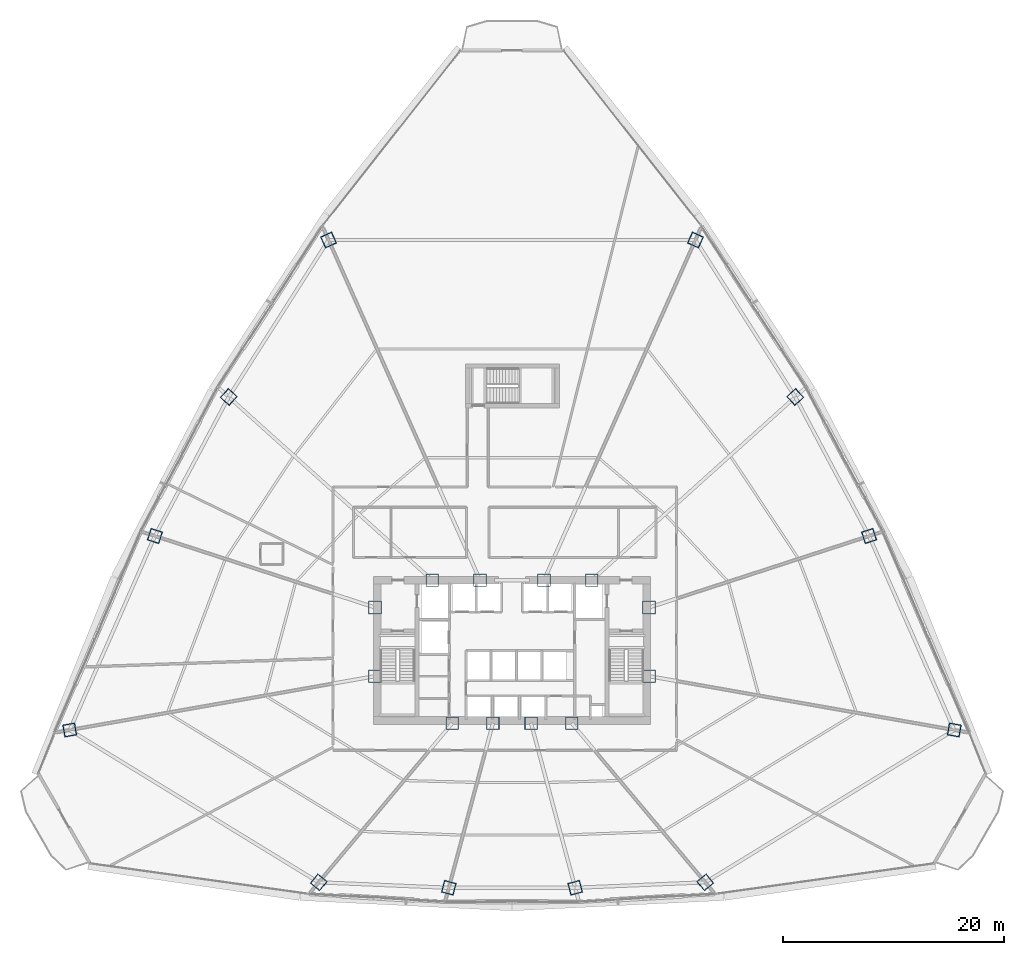
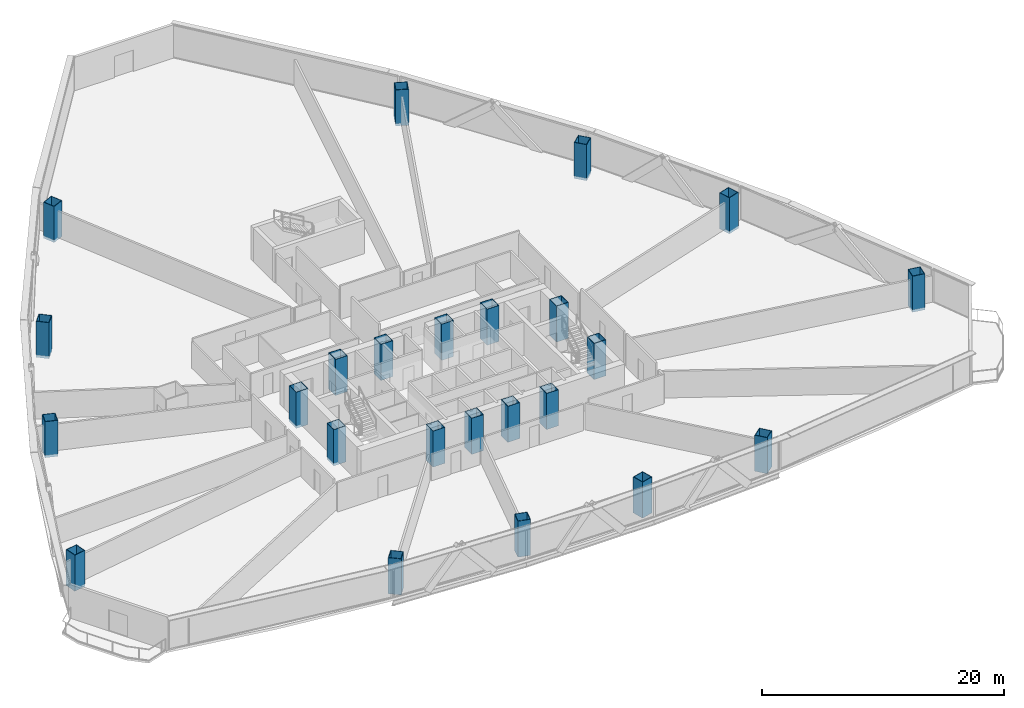
# One storey, part 1 of 37: 24 columns.
"""IFC4 building model written with IfcOpenShell, lengths in metres."""

import ifcopenshell
import ifcopenshell.guid

model = None  # the IFC model being written
_history = None  # IfcOwnerHistory: only IFC2X3 demands one
_inside = {}  # id of a spatial element -> (the spatial element, [elements in it])
_under = {}  # id of a project, library or spatial element -> (it, [spatial elements below it])
_declared = {}  # id of a project -> (the project, [libraries it declares])
_typed = {}  # id of a type object -> (the type object, [elements of that type])
_made_of = {}  # id of a material, layer set ... -> (it, [elements and type objects made of it])


def new_model(schema):
    """Start an empty IFC model of exactly this schema.

    Asked for "IFC4X3", IfcOpenShell would pick the latest addendum, in which some entities
    have other attributes; the version numbers below select the first issue.
    IFC2X3 requires an IfcOwnerHistory on every rooted entity: one is made here for all.
    """
    global model, _history
    if schema == "IFC4X3":
        model = ifcopenshell.file(schema_version=(4, 3, 0, 0))
    else:
        model = ifcopenshell.file(schema=schema)
    _inside.clear()
    _under.clear()
    _declared.clear()
    _typed.clear()
    _made_of.clear()
    _history = None
    if model.schema == "IFC2X3":
        org = make("IfcOrganization", Name="unknown")
        user = make(
            "IfcPersonAndOrganization",
            ThePerson=make("IfcPerson", FamilyName="unknown"),
            TheOrganization=org,
        )
        app = make(
            "IfcApplication",
            ApplicationDeveloper=org,
            Version="unknown",
            ApplicationFullName="unknown",
            ApplicationIdentifier="unknown",
        )
        _history = make(
            "IfcOwnerHistory",
            OwningUser=user,
            OwningApplication=app,
            ChangeAction="ADDED",
            CreationDate=0,
        )
    return model


def make(cls, **values):
    """One entity of the class cls with the attributes given. An attribute that is None is left unset."""
    return model.create_entity(
        cls, **{name: value for name, value in values.items() if value is not None}
    )


def rooted(cls, **values):
    """An entity with a GlobalId (a new one), such as an element, a storey or a relation."""
    return make(cls, GlobalId=ifcopenshell.guid.new(), OwnerHistory=_history, **values)


def si_unit(unit_type, name, prefix=None):
    """IfcSIUnit, for example si_unit("LENGTHUNIT", "METRE", prefix="MILLI")."""
    return make("IfcSIUnit", UnitType=unit_type, Prefix=prefix, Name=name)


def assignment(units):
    """IfcUnitAssignment: the units of a project."""
    return None if units is None else make("IfcUnitAssignment", Units=units)


def point(xyz):
    """IfcCartesianPoint."""
    return None if xyz is None else make("IfcCartesianPoint", Coordinates=xyz)


def direction(xyz):
    """IfcDirection."""
    return None if xyz is None else make("IfcDirection", DirectionRatios=xyz)


def frame(location, z_axis=None, x_axis=None):
    """IfcAxis2Placement3D, a coordinate frame: its origin and axes. An axis left out is left unset."""
    return make(
        "IfcAxis2Placement3D",
        Location=point(location),
        Axis=direction(z_axis),
        RefDirection=direction(x_axis),
    )


def frame_2d(location, x_axis=None):
    """IfcAxis2Placement2D, a coordinate frame in the plane: its origin and x axis."""
    return make(
        "IfcAxis2Placement2D", Location=point(location), RefDirection=direction(x_axis)
    )


def origin():
    """The frame at (0, 0, 0) with its axes left unset."""
    return frame((0.0, 0.0, 0.0))


def origin_2d():
    """The frame at (0, 0) in the plane with its x axis left unset."""
    return frame_2d((0.0, 0.0))


def place(relative_to, where):
    """IfcLocalPlacement: puts the frame where relative to a parent placement (None: the world)."""
    return make(
        "IfcLocalPlacement", PlacementRelTo=relative_to, RelativePlacement=where
    )


def context(
    kind, dimensions, precision=None, world=None, true_north=None, identifier=None
):
    """IfcGeometricRepresentationContext, for example the 3D "Model" context."""
    return make(
        "IfcGeometricRepresentationContext",
        ContextIdentifier=identifier,
        ContextType=kind,
        CoordinateSpaceDimension=dimensions,
        Precision=precision,
        WorldCoordinateSystem=world,
        TrueNorth=true_north,
    )


def subcontext(parent, identifier, kind, view, scale=None):
    """IfcGeometricRepresentationSubContext, for example "Body" below "Model"."""
    return make(
        "IfcGeometricRepresentationSubContext",
        ContextIdentifier=identifier,
        ContextType=kind,
        ParentContext=parent,
        TargetScale=scale,
        TargetView=view,
    )


def project(units=None, contexts=None):
    """IfcProject with its units and contexts."""
    return rooted(
        "IfcProject",
        Name="project",
        RepresentationContexts=contexts,
        UnitsInContext=assignment(units),
    )


def spatial(cls, under=None, at=None, **own):
    """A site, building, storey or space (cls), placed at a placement, below another one or the project."""
    s = rooted(cls, ObjectPlacement=at, **own)
    if under is not None:
        _under.setdefault(under.id(), (under, []))[1].append(s)
    return s


def profile(cls, at=None, kind="AREA", **sizes):
    """A parametric profile (cls). Its sizes go by their IFC names, for example OverallWidth=200.0."""
    return make(cls, ProfileType=kind, Position=at, **sizes)


def hollow_rectangle(**sizes):
    """IfcRectangleHollowProfileDef."""
    return profile("IfcRectangleHollowProfileDef", **sizes)


def extrude(swept, where, along, depth):
    """IfcExtrudedAreaSolid: the profile swept, set in the frame where, extruded along a direction by depth."""
    return make(
        "IfcExtrudedAreaSolid",
        SweptArea=swept,
        Position=where,
        ExtrudedDirection=direction(along),
        Depth=depth,
    )


def shape(context_of_items, identifier, shape_type, items):
    """IfcShapeRepresentation: the items that make up one representation, for example the "Body"."""
    return make(
        "IfcShapeRepresentation",
        ContextOfItems=context_of_items,
        RepresentationIdentifier=identifier,
        RepresentationType=shape_type,
        Items=items,
    )


def source(mapping_origin, context_of_items, identifier, shape_type, items):
    """IfcRepresentationMap: a shape defined once, which mapped items show again and again."""
    return make(
        "IfcRepresentationMap",
        MappingOrigin=mapping_origin,
        MappedRepresentation=shape(context_of_items, identifier, shape_type, items),
    )


def transform(
    local_origin,
    x_axis=None,
    y_axis=None,
    z_axis=None,
    scale=None,
    scale2=None,
    scale3=None,
    uniform=True,
):
    """IfcCartesianTransformationOperator3D, or its non-uniform kind. x_axis, y_axis, z_axis: its Axis1, 2, 3."""
    if uniform:
        return make(
            "IfcCartesianTransformationOperator3D",
            Axis1=direction(x_axis),
            Axis2=direction(y_axis),
            LocalOrigin=point(local_origin),
            Scale=scale,
            Axis3=direction(z_axis),
        )
    return make(
        "IfcCartesianTransformationOperator3DnonUniform",
        Axis1=direction(x_axis),
        Axis2=direction(y_axis),
        LocalOrigin=point(local_origin),
        Scale=scale,
        Axis3=direction(z_axis),
        Scale2=scale2,
        Scale3=scale3,
    )


def mapped(mapping_source, mapping_target):
    """IfcMappedItem: shows the shape of a source again, moved by a transform."""
    return make(
        "IfcMappedItem", MappingSource=mapping_source, MappingTarget=mapping_target
    )


def material(Name=None, Category=None):
    """IfcMaterial."""
    return make("IfcMaterial", Name=Name, Category=Category)


def material_profile(
    of_material, cross_section, Name=None, Category=None, Priority=None
):
    """IfcMaterialProfile: a cross section and its material."""
    return make(
        "IfcMaterialProfile",
        Name=Name,
        Material=of_material,
        Profile=cross_section,
        Priority=Priority,
        Category=Category,
    )


def profile_set(profiles, Name=None, composite=None):
    """IfcMaterialProfileSet."""
    return make(
        "IfcMaterialProfileSet",
        Name=Name,
        MaterialProfiles=profiles,
        CompositeProfile=composite,
    )


def made_of(thing, what):
    """Note that an element or type object is made of a material, layer set ...; save() writes the relation."""
    if what is not None:
        _made_of.setdefault(what.id(), (what, []))[1].append(thing)
    return thing


def type_object(cls, material=None, **own):
    """A type object (cls), such as IfcWallType, which elements share."""
    return made_of(rooted(cls, **own), material)


def element(
    cls,
    number,
    at=None,
    inside=None,
    cuts=None,
    type_object=None,
    material=None,
    context=None,
    identifier="Body",
    shape_type=None,
    held_by="IfcProductDefinitionShape",
    body=None,
    shapes=None,
    **own,
):
    """One element of the class cls, such as IfcWall. Its Tag is "e" and its number.

    at: its placement. inside: the storey or other place that contains it. cuts: it is an
    opening in that element (IfcRelVoidsElement). A single representation is given by context,
    identifier, shape_type and body (its items); several are given by shapes. held_by: the class
    of the entity that holds the representations. save() writes the other relations.
    """
    e = rooted(cls, Tag="e%d" % number, ObjectPlacement=at, **own)
    if body is not None:
        shapes = [shape(context, identifier, shape_type, body)]
    if shapes is not None:
        e.Representation = make(held_by, Representations=shapes)
    if inside is not None:
        _inside.setdefault(inside.id(), (inside, []))[1].append(e)
    if cuts is not None:
        rooted(
            "IfcRelVoidsElement", RelatingBuildingElement=cuts, RelatedOpeningElement=e
        )
    if type_object is not None:
        _typed.setdefault(type_object.id(), (type_object, []))[1].append(e)
    return made_of(e, material)


def aggregate(whole, parts):
    """IfcRelAggregates: a whole, such as a stair, and the parts it consists of."""
    return rooted("IfcRelAggregates", RelatingObject=whole, RelatedObjects=parts)


def save(model, path):
    """Write the relations noted so far, then the file.

    IfcRelAggregates (storeys below a building ...), IfcRelContainedInSpatialStructure (elements
    in a storey), IfcRelDefinesByType, IfcRelAssociatesMaterial and IfcRelDeclares: one each for
    every whole, place, type object, material and project.
    """
    for whole, parts in _under.values():
        aggregate(whole, parts)
    for where, things in _inside.values():
        rooted(
            "IfcRelContainedInSpatialStructure",
            RelatedElements=things,
            RelatingStructure=where,
        )
    for kind, things in _typed.values():
        rooted("IfcRelDefinesByType", RelatedObjects=things, RelatingType=kind)
    for what, things in _made_of.values():
        rooted("IfcRelAssociatesMaterial", RelatedObjects=things, RelatingMaterial=what)
    for by, libraries in _declared.values():
        rooted("IfcRelDeclares", RelatingContext=by, RelatedDefinitions=libraries)
    model.write(path)


model = new_model("IFC4")

# Units and contexts
model_context = context("Model", 3, precision=1e-05, world=origin(), true_north=direction((0.0, 1.0)))
body_context = subcontext(model_context, "Body", "Model", "MODEL_VIEW")
ifc_project = project(units=[si_unit("LENGTHUNIT", "METRE"), si_unit("AREAUNIT", "SQUARE_METRE"), si_unit("VOLUMEUNIT", "CUBIC_METRE"), si_unit("PLANEANGLEUNIT", "RADIAN"), si_unit("MASSUNIT", "GRAM", prefix="KILO"), si_unit("THERMODYNAMICTEMPERATUREUNIT", "KELVIN"), si_unit("POWERUNIT", "WATT")], contexts=[model_context])

# Site, building, storey
site_placement = place(None, origin())
site = spatial("IfcSite", under=ifc_project, at=site_placement, CompositionType="ELEMENT")
building_placement = place(site_placement, origin())
building = spatial("IfcBuilding", under=site, at=building_placement, Name="Yunzhuo Pagoda Commons", CompositionType="ELEMENT")
storey_placement = place(building_placement, frame((0.0, 0.0, 52.179931640625)))
storey = spatial("IfcBuildingStorey", under=building, at=storey_placement, Name="L13", CompositionType="ELEMENT", Elevation=52.179931640625)

# Columns
ifc_material = material(Name="Structural steel Q420B", Category="steel")
ifc_material_profile_1 = material_profile(ifc_material, hollow_rectangle(XDim=1.14990234375, YDim=1.14990234375, WallThickness=0.048095703125, at=origin_2d()), Name="Structural steel Q420B")
ifc_profile_set_1 = profile_set([ifc_material_profile_1], Name="Structural steel Q420B")
column_type_1 = type_object("IfcColumnType", Name="C-COR Column BOX 1150x1150x48", PredefinedType="COLUMN", material=ifc_profile_set_1)
shared_shape_1 = source(origin(), body_context, "Body", "SweptSolid", [
    extrude(hollow_rectangle(XDim=1.14990234375, YDim=1.14990234375, WallThickness=0.048095703125, at=origin_2d()), origin(), (0.0, 0.0, 1.0), 3.630126953125),
])
for number, where, z_axis, x_axis, name in (
    (1, (42.587890625, 27.25, -0.260009765625), (0.0, 0.0, 1.0), (1.0, 0.0, 0.0), "L13 core composite column F1C1"),
    (2, (46.27197265625, 27.25, -0.260009765625), (0.0, 0.0, 1.0), (1.0, 0.0, 0.0), "L13 core composite column F1C2"),
    (3, (49.728515625, 27.25, -0.260009765625), (0.0, 0.0, 1.0), (1.0, 0.0, 0.0), "L13 core composite column F1C3"),
    (4, (53.412109375, 27.25, -0.260009765625), (0.0, 0.0, 1.0), (1.0, 0.0, 0.0), "L13 core composite column F1C4"),
    (5, (60.39990234375, 31.513427734375, -0.260009765625), (0.0, 0.0, 1.0), (1.0, 0.0, 0.0), "L13 core composite column F2C1"),
    (6, (60.39990234375, 37.72900390625, -0.260009765625), (0.0, 0.0, 1.0), (1.0, 0.0, 0.0), "L13 core composite column F2C2"),
    (7, (55.218994140625, 40.199951171875, -0.260009765625), (0.0, 0.0, 1.0), (1.0, 0.0, 0.0), "L13 core composite column F2C3"),
    (8, (50.89404296875, 40.199951171875, -0.260009765625), (0.0, 0.0, 1.0), (1.0, 0.0, 0.0), "L13 core composite column F2C4"),
    (9, (45.10595703125, 40.199951171875, -0.260009765625), (0.0, 0.0, 1.0), (1.0, 0.0, 0.0), "L13 core composite column F3C1"),
    (10, (40.781005859375, 40.199951171875, -0.260009765625), (0.0, 0.0, 1.0), (1.0, 0.0, 0.0), "L13 core composite column F3C2"),
    (11, (35.60009765625, 37.72900390625, -0.260009765625), (0.0, 0.0, 1.0), (1.0, 0.0, 0.0), "L13 core composite column F3C3"),
    (12, (35.60009765625, 31.513427734375, -0.260009765625), (0.0, 0.0, 1.0), (1.0, 0.0, 0.0), "L13 core composite column F3C4"),
):
    element("IfcColumn", number, at=place(storey_placement, frame(where, z_axis=z_axis, x_axis=x_axis)), inside=storey, type_object=column_type_1, Name=name, PredefinedType="COLUMN", context=body_context, shape_type="MappedRepresentation", body=[
        mapped(shared_shape_1, transform((0.0, 0.0, 0.0), scale=1.0)),
    ])
ifc_material_profile_2 = material_profile(ifc_material, hollow_rectangle(XDim=1.10009765625, YDim=1.10009765625, WallThickness=0.044921875, at=origin_2d()), Name="Structural steel Q420B")
ifc_profile_set_2 = profile_set([ifc_material_profile_2], Name="Structural steel Q420B")
column_type_2 = type_object("IfcColumnType", Name="C-Z1 Column BOX 1100x1100x45", PredefinedType="COLUMN", material=ifc_profile_set_2)
shared_shape_2 = source(origin(), body_context, "Body", "SweptSolid", [
    extrude(hollow_rectangle(XDim=1.10009765625, YDim=1.10009765625, WallThickness=0.044921875, at=origin_2d()), origin(), (0.0, 0.0, 1.0), 3.630126953125),
])
for number, where, z_axis, x_axis, name in (
    (13, (30.5, 12.844482421875, -0.260009765625), (0.0, 0.0, 1.0), (0.766044443119, -0.642787609687, 0.0), "L13 tower column F1C1"),
    (14, (42.27978515625, 12.35205078125, -0.260009765625), (0.0, 0.0, 1.0), (0.965925826289, -0.258819045103, 0.0), "L13 tower column F1C2"),
    (15, (53.72021484375, 12.35205078125, -0.260009765625), (0.0, 0.0, 1.0), (0.965925826289, 0.258819045103, 0.0), "L13 tower column F1C3"),
    (16, (65.5, 12.844482421875, -0.260009765625), (0.0, 0.0, 1.0), (0.766044443119, 0.642787609687, 0.0), "L13 tower column F1C4"),
    (17, (88.047607421875, 26.638427734375, -0.260009765625), (0.0, 0.0, 1.0), (0.173648177667, 0.984807753012, 0.0), "L13 tower column F2C1"),
    (18, (80.33544921875, 44.206298828125, -0.260009765625), (0.0, 0.0, 1.0), (-0.309016994375, 0.951056516295, 0.0), "L13 tower column F2C2"),
    (19, (73.648681640625, 56.79443359375, -0.260009765625), (0.0, 0.0, 1.0), (-0.669130606359, 0.743144825477, 0.0), "L13 tower column F2C3"),
    (20, (64.61083984375, 71.008544921875, -0.260009765625), (0.0, 0.0, 1.0), (-0.913545457643, 0.406736643076, 0.0), "L13 tower column F2C4"),
    (21, (31.38916015625, 71.008544921875, -0.260009765625), (0.0, 0.0, 1.0), (-0.913545457643, -0.406736643076, 0.0), "L13 tower column F3C1"),
    (22, (22.351318359375, 56.79443359375, -0.260009765625), (0.0, 0.0, 1.0), (-0.669130606359, -0.743144825477, 0.0), "L13 tower column F3C2"),
    (23, (15.66455078125, 44.206298828125, -0.260009765625), (0.0, 0.0, 1.0), (-0.309016994375, -0.951056516295, 0.0), "L13 tower column F3C3"),
    (24, (7.952392578125, 26.638427734375, -0.260009765625), (0.0, 0.0, 1.0), (0.173648177667, -0.984807753012, 0.0), "L13 tower column F3C4"),
):
    element("IfcColumn", number, at=place(storey_placement, frame(where, z_axis=z_axis, x_axis=x_axis)), inside=storey, type_object=column_type_2, Name=name, PredefinedType="COLUMN", context=body_context, shape_type="MappedRepresentation", body=[
        mapped(shared_shape_2, transform((0.0, 0.0, 0.0), scale=1.0)),
    ])

save(model, "model.ifc")
